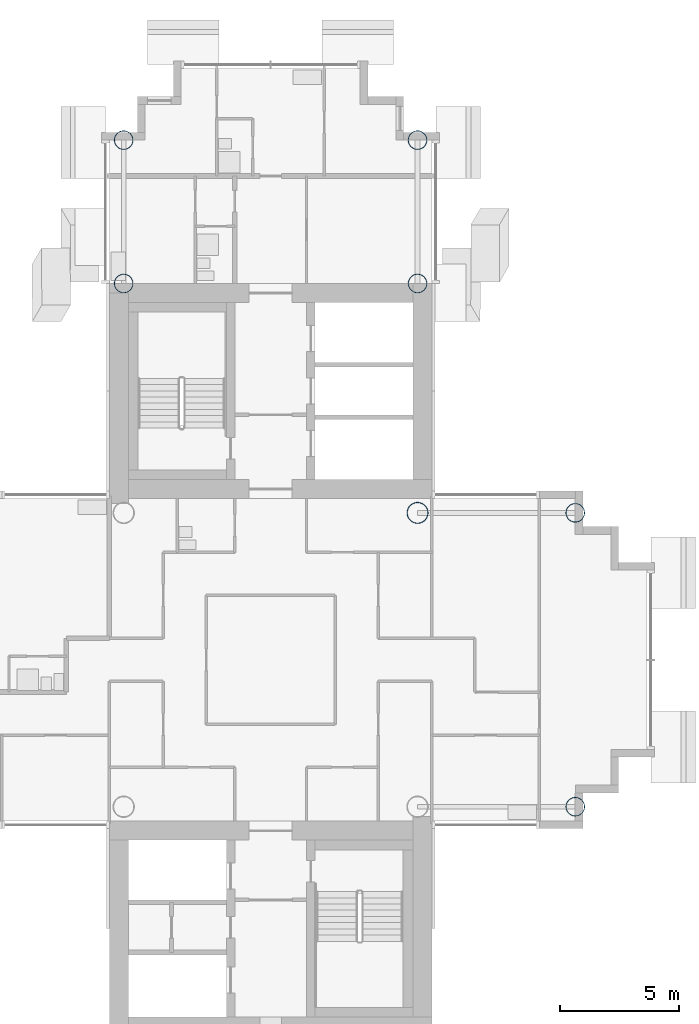
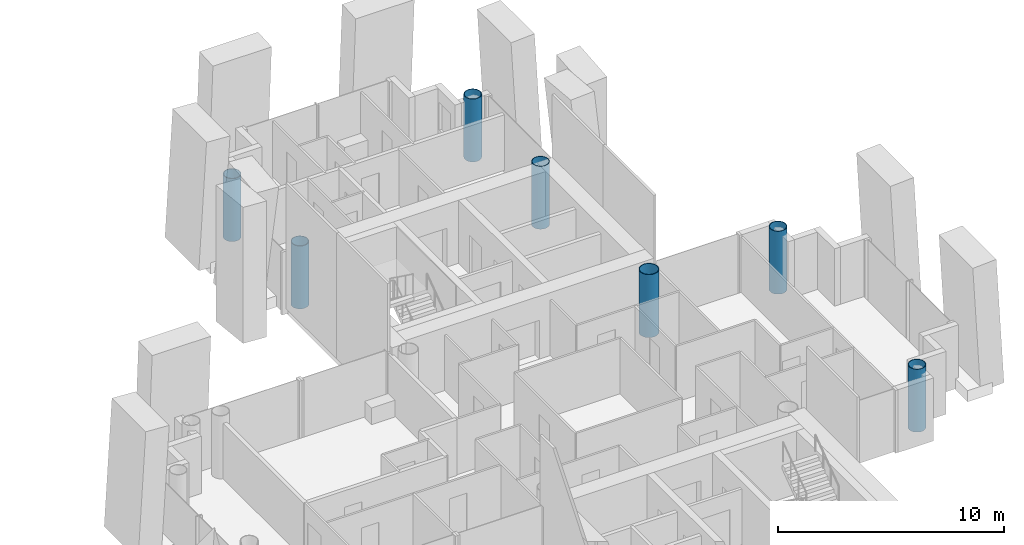
# One storey, part 2 of 18: 7 columns.
"""IFC4 building model written with IfcOpenShell, lengths in metres."""

from ifc_helpers import new_model, si_unit, direction, frame, origin, origin_2d, place, context, subcontext, project, spatial, hollow_circle, extrude, material, material_profile, profile_set, type_object, element, save


model = new_model("IFC4")

# Units and contexts
model_context = context("Model", 3, precision=1e-05, world=origin(), true_north=direction((0.0, 1.0)))
body_context = subcontext(model_context, "Body", "Model", "MODEL_VIEW")
ifc_project = project(units=[si_unit("LENGTHUNIT", "METRE"), si_unit("AREAUNIT", "SQUARE_METRE"), si_unit("VOLUMEUNIT", "CUBIC_METRE"), si_unit("PLANEANGLEUNIT", "RADIAN"), si_unit("MASSUNIT", "GRAM", prefix="KILO")], contexts=[model_context])

# Site, building, storey
site_placement = place(None, origin())
site = spatial("IfcSite", under=ifc_project, at=site_placement, CompositionType="ELEMENT")
building_placement = place(site_placement, origin())
building = spatial("IfcBuilding", under=site, at=building_placement, Name="Ipe Terrace Towers", CompositionType="ELEMENT")
storey_placement = place(building_placement, frame((0.0, 0.0, 143.89990234375)))
storey = spatial("IfcBuildingStorey", under=building, at=storey_placement, Name="L39", CompositionType="ELEMENT", Elevation=143.89990234375)

# Columns
ifc_material_1 = material(Name="Steel S355 tube with Concrete C60/75 fill", Category="concrete")
ifc_material_profile_1 = material_profile(ifc_material_1, hollow_circle(Radius=0.39990234375, WallThickness=0.028076171875, at=origin_2d()), Name="CHS-800x28")
ifc_profile_set_1 = profile_set([ifc_material_profile_1], Name="Steel S355 tube with Concrete C60/75 fill")
column_type_1 = type_object("IfcColumnType", Name="CH09 COLUMN CHS-800x28", PredefinedType="COLUMN", material=ifc_profile_set_1)
for number, where, z_axis, x_axis, name in (
    (1, (42.14990234375, 15.75, 0.0), (0.0, 0.0, 1.0), (1.0, 0.0, 0.0), "Column T2-C-A01"),
    (2, (29.85009765625, 15.75, 0.0), (0.0, 0.0, 1.0), (1.0, 0.0, 0.0), "Column T2-C-A02"),
    (3, (42.14990234375, 21.75, 0.0), (0.0, 0.0, 1.0), (1.0, 0.0, 0.0), "Column T2-C-A03"),
    (4, (29.85009765625, 21.75, 0.0), (0.0, 0.0, 1.0), (1.0, 0.0, 0.0), "Column T2-C-A04"),
    (5, (48.75, -6.14990234375, 0.0), (0.0, 0.0, 1.0), (1.0, 0.0, 0.0), "Column T2-C-D01"),
    (6, (48.75, 6.14990234375, 0.0), (0.0, 0.0, 1.0), (1.0, 0.0, 0.0), "Column T2-C-D02"),
):
    element("IfcColumn", number, at=place(storey_placement, frame(where, z_axis=z_axis, x_axis=x_axis)), inside=storey, type_object=column_type_1, Name=name, PredefinedType="COLUMN", context=body_context, shape_type="SweptSolid", body=[
        extrude(hollow_circle(Radius=0.39990234375, WallThickness=0.028076171875, at=origin_2d()), origin(), (0.0, 0.0, 1.0), 3.400146484375),
    ])
ifc_material_2 = material(Name="Steel S355 tube with Concrete C60/75 fill", Category="concrete")
ifc_material_profile_2 = material_profile(ifc_material_2, hollow_circle(Radius=0.449951171875, WallThickness=0.031982421875, at=origin_2d()), Name="CHS-900x32")
ifc_profile_set_2 = profile_set([ifc_material_profile_2], Name="Steel S355 tube with Concrete C60/75 fill")
column_type_2 = type_object("IfcColumnType", Name="CH10 COLUMN CHS-900x32", PredefinedType="COLUMN", material=ifc_profile_set_2)
column_placement = place(storey_placement, frame((42.14990234375, 6.14990234375, 0.0), z_axis=(0.0, 0.0, 1.0), x_axis=(1.0, 0.0, 0.0)))
element("IfcColumn", 7, at=column_placement, inside=storey, type_object=column_type_2, Name="Column T2-C-E02", PredefinedType="COLUMN", context=body_context, shape_type="SweptSolid", body=[
    extrude(hollow_circle(Radius=0.449951171875, WallThickness=0.031982421875, at=origin_2d()), origin(), (0.0, 0.0, 1.0), 3.400146484375),
])

save(model, "model.ifc")
